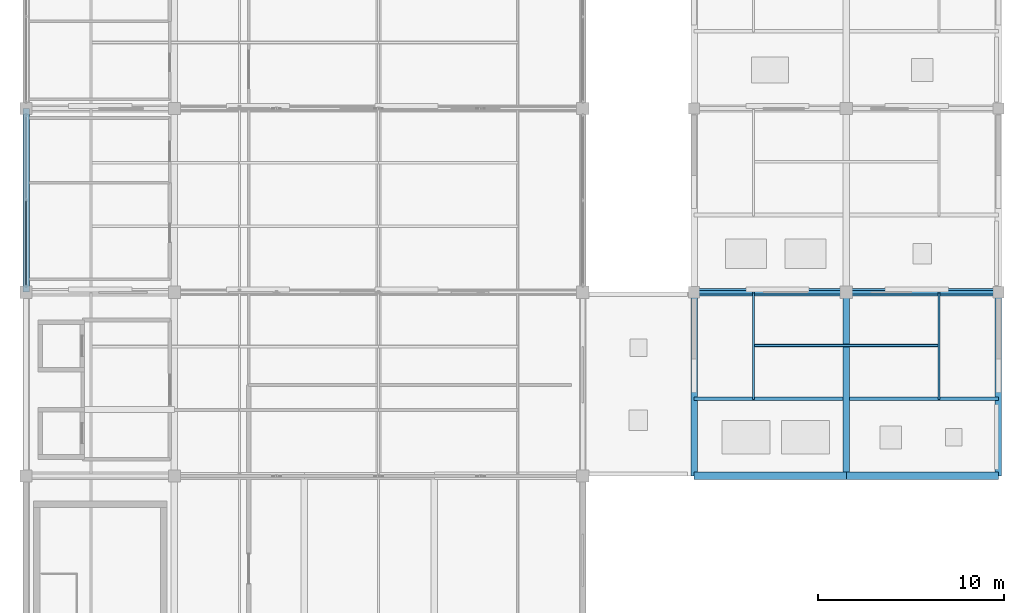
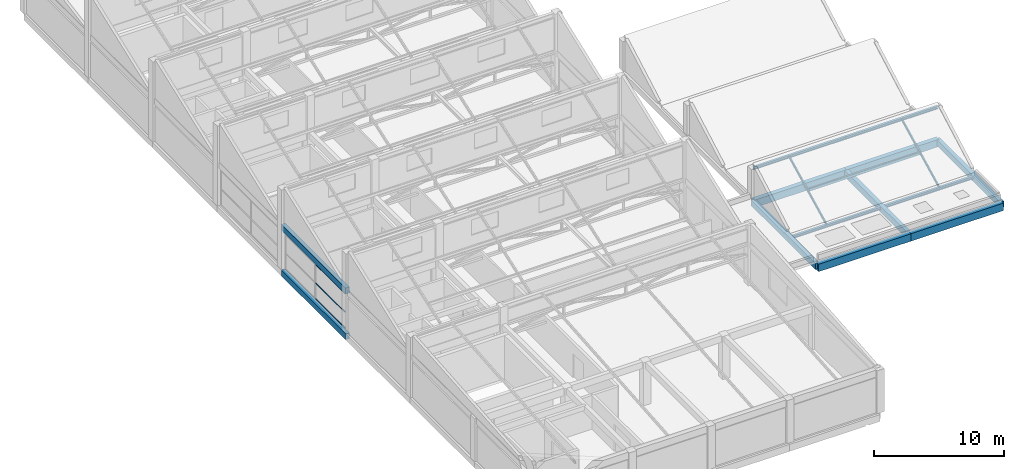
# One storey, part 6 of 35: 13 beams, 6 members, 1 element without a shape of its own.
"""IFC4 building model written with IfcOpenShell, lengths in metres."""

from ifc_helpers import new_model, si_unit, direction, frame, origin, origin_2d, place, context, subcontext, project, spatial, rectangle, hollow_rectangle, i_section, extrude, material, layer, layer_set, material_profile, profile_set, type_object, element, aggregate, save


model = new_model("IFC4")

# Units and contexts
model_context = context("Model", 3, precision=1e-05, world=origin(), true_north=direction((0.0, 1.0)))
body_context = subcontext(model_context, "Body", "Model", "MODEL_VIEW")
ifc_project = project(units=[si_unit("LENGTHUNIT", "METRE"), si_unit("AREAUNIT", "SQUARE_METRE"), si_unit("VOLUMEUNIT", "CUBIC_METRE"), si_unit("PLANEANGLEUNIT", "RADIAN"), si_unit("MASSUNIT", "GRAM", prefix="KILO")], contexts=[model_context])

# Site, building, storey
site_placement = place(None, origin())
site = spatial("IfcSite", under=ifc_project, at=site_placement, CompositionType="ELEMENT")
building_placement = place(site_placement, origin())
building = spatial("IfcBuilding", under=site, at=building_placement, Name="Sillaruma Civic Art Gallery", CompositionType="ELEMENT")
storey_placement = place(building_placement, frame((0.0, 0.0, 74.4599609375)))
storey = spatial("IfcBuildingStorey", under=building, at=storey_placement, Name="L15", CompositionType="ELEMENT", Elevation=74.4599609375)

# Beams
ifc_material_1 = material(Name="Concrete H35 (35 MPa)", Category="concrete")
ifc_material_profile_1 = material_profile(ifc_material_1, rectangle(XDim=0.35009765625, YDim=0.60009765625, at=origin_2d()), Name="RCB350x600")
ifc_profile_set_1 = profile_set([ifc_material_profile_1], Name="Concrete H35 (35 MPa)")
beam_type_1 = type_object("IfcBeamType", Name="BM-BEAM-RCB350x600", PredefinedType="BEAM", material=ifc_profile_set_1)
beam_1_placement = place(storey_placement, frame((106.199951171875, 39.60009765625, -0.550048828125), z_axis=(0.0, 1.0, 0.0), x_axis=(-1.0, 0.0, 0.0)))
element("IfcBeam", 1, at=beam_1_placement, inside=storey, type_object=beam_type_1, Name="Beam BM-06 (L14:M:5-6)", PredefinedType="BEAM", context=body_context, shape_type="SweptSolid", body=[
    extrude(rectangle(XDim=0.35009765625, YDim=0.60009765625, at=origin_2d()), origin(), (0.0, 0.0, 1.0), 9.89990234375),
])
ifc_material_profile_2 = material_profile(ifc_material_1, rectangle(XDim=0.39990234375, YDim=0.699951171875, at=origin_2d()), Name="RCB400x700")
ifc_profile_set_2 = profile_set([ifc_material_profile_2], Name="Concrete H35 (35 MPa)")
beam_type_2 = type_object("IfcBeamType", Name="BM-BEAM-RCB400x700", PredefinedType="BEAM", material=ifc_profile_set_2)
for number, where, z_axis, x_axis, name in (
    (2, (98.0, 39.60009765625, -0.599853515625), (1.0, 0.0, 0.0), (0.0, 1.0, 0.0), "Beam BM-04 (L14:5:L-M)"),
    (3, (106.199951171875, 39.60009765625, -0.599853515625), (1.0, 0.0, 0.0), (0.0, 1.0, 0.0), "Beam BM-04 (L14:5:M-N)"),
    (4, (98.0, 49.5, -0.599853515625), (1.0, 0.0, 0.0), (0.0, 1.0, 0.0), "Beam BM-04 (L14:6:L-M)"),
    (5, (106.199951171875, 49.5, -0.599853515625), (1.0, 0.0, 0.0), (0.0, 1.0, 0.0), "Beam BM-04 (L14:6:M-N)"),
):
    element("IfcBeam", number, at=place(storey_placement, frame(where, z_axis=z_axis, x_axis=x_axis)), inside=storey, type_object=beam_type_2, Name=name, PredefinedType="BEAM", context=body_context, shape_type="SweptSolid", body=[
        extrude(rectangle(XDim=0.39990234375, YDim=0.699951171875, at=origin_2d()), origin(), (0.0, 0.0, 1.0), 8.199951171875),
    ])
ifc_material_profile_3 = material_profile(ifc_material_1, rectangle(XDim=0.35009765625, YDim=0.550048828125, at=origin_2d()), Name="RCB350x550")
ifc_profile_set_3 = profile_set([ifc_material_profile_3], Name="Concrete H35 (35 MPa)")
beam_type_3 = type_object("IfcBeamType", Name="BM-ROF-RCB350x550", PredefinedType="SPANDREL", material=ifc_profile_set_3)
beam_2_placement = place(storey_placement, frame((62.0, 49.5, 3.76513671875), z_axis=(0.0, 1.0, 0.0), x_axis=(-1.0, 0.0, 0.0)))
element("IfcBeam", 6, at=beam_2_placement, inside=storey, type_object=beam_type_3, Name="Beam BSR-04 (L15:F:6-7)", PredefinedType="SPANDREL", context=body_context, shape_type="SweptSolid", body=[
    extrude(rectangle(XDim=0.35009765625, YDim=0.550048828125, at=origin_2d()), origin(), (0.0, 0.0, 1.0), 9.89990234375),
])
ifc_material_2 = material(Name="Structural Steel ASTM A992 Gr.50", Category="steel")
ifc_material_profile_4 = material_profile(ifc_material_2, i_section(OverallWidth=0.2041015625, OverallDepth=0.257080078125, WebThickness=0.0087890625, FlangeThickness=0.015625, FilletRadius=0.012939453125, at=origin_2d()), Name="W250x67")
ifc_profile_set_4 = profile_set([ifc_material_profile_4], Name="Structural Steel ASTM A992 Gr.50")
beam_type_4 = type_object("IfcBeamType", Name="BM-SAW-W250x67", PredefinedType="BEAM", material=ifc_profile_set_4)
beam_3_placement = place(storey_placement, frame((98.0, 43.760009765625, -0.3798828125), z_axis=(1.0, 0.0, 0.0), x_axis=(0.0, 1.0, 0.0)))
element("IfcBeam", 7, at=beam_3_placement, inside=storey, type_object=beam_type_4, Name="East Crown Sawtooth Valley Girder (1-LM)", PredefinedType="BEAM", context=body_context, shape_type="SweptSolid", body=[
    extrude(i_section(OverallWidth=0.2041015625, OverallDepth=0.257080078125, WebThickness=0.0087890625, FlangeThickness=0.015625, FilletRadius=0.012939453125, at=origin_2d()), origin(), (0.0, 0.0, 1.0), 8.02490234375),
])
beam_4_placement = place(storey_placement, frame((98.0, 49.5, 2.66015625), z_axis=(1.0, 0.0, 0.0), x_axis=(0.0, 1.0, 0.0)))
element("IfcBeam", 8, at=beam_4_placement, inside=storey, type_object=beam_type_4, Name="East Crown Sawtooth Ridge Girder (1-LM)", PredefinedType="BEAM", context=body_context, shape_type="SweptSolid", body=[
    extrude(i_section(OverallWidth=0.2041015625, OverallDepth=0.257080078125, WebThickness=0.0087890625, FlangeThickness=0.015625, FilletRadius=0.012939453125, at=origin_2d()), origin(), (0.0, 0.0, 1.0), 8.199951171875),
])
beam_5_placement = place(storey_placement, frame((106.375, 43.760009765625, -0.3798828125), z_axis=(1.0, 0.0, 0.0), x_axis=(0.0, 1.0, 0.0)))
element("IfcBeam", 9, at=beam_5_placement, inside=storey, type_object=beam_type_4, Name="East Crown Sawtooth Valley Girder (1-MN)", PredefinedType="BEAM", context=body_context, shape_type="SweptSolid", body=[
    extrude(i_section(OverallWidth=0.2041015625, OverallDepth=0.257080078125, WebThickness=0.0087890625, FlangeThickness=0.015625, FilletRadius=0.012939453125, at=origin_2d()), origin(), (0.0, 0.0, 1.0), 8.02490234375),
])
beam_6_placement = place(storey_placement, frame((106.199951171875, 49.5, 2.66015625), z_axis=(1.0, 0.0, 0.0), x_axis=(0.0, 1.0, 0.0)))
element("IfcBeam", 10, at=beam_6_placement, inside=storey, type_object=beam_type_4, Name="East Crown Sawtooth Ridge Girder (1-MN)", PredefinedType="BEAM", context=body_context, shape_type="SweptSolid", body=[
    extrude(i_section(OverallWidth=0.2041015625, OverallDepth=0.257080078125, WebThickness=0.0087890625, FlangeThickness=0.015625, FilletRadius=0.012939453125, at=origin_2d()), origin(), (0.0, 0.0, 1.0), 8.199951171875),
])
ifc_material_profile_5 = material_profile(ifc_material_1, rectangle(XDim=0.35009765625, YDim=0.550048828125, at=origin_2d()), Name="RCB350x550")
ifc_profile_set_5 = profile_set([ifc_material_profile_5], Name="Concrete H35 (35 MPa)")
beam_type_5 = type_object("IfcBeamType", Name="BM-SPANDREL-RCB350x550", PredefinedType="SPANDREL", material=ifc_profile_set_5)
for number, where, z_axis, x_axis, name in (
    (11, (62.0, 49.5, -0.52490234375), (0.0, 1.0, 0.0), (-1.0, 0.0, 0.0), "Beam BS-04 (L14:F:6-7)"),
    (12, (98.0, 39.60009765625, -0.52490234375), (0.0, 1.0, 0.0), (-1.0, 0.0, 0.0), "Beam BS-04 (L14:L:5-6)"),
    (13, (114.39990234375, 39.60009765625, -0.52490234375), (0.0, 1.0, 0.0), (-1.0, 0.0, 0.0), "Beam BS-04 (L14:N:5-6)"),
):
    element("IfcBeam", number, at=place(storey_placement, frame(where, z_axis=z_axis, x_axis=x_axis)), inside=storey, type_object=beam_type_5, Name=name, PredefinedType="SPANDREL", context=body_context, shape_type="SweptSolid", body=[
        extrude(rectangle(XDim=0.35009765625, YDim=0.550048828125, at=origin_2d()), origin(), (0.0, 0.0, 1.0), 9.89990234375),
    ])

# Members
ifc_material_3 = material(Name="Structural Steel ASTM A500 Gr.C", Category="steel")
ifc_material_profile_6 = material_profile(ifc_material_3, hollow_rectangle(XDim=0.14990234375, YDim=0.25, WallThickness=0.010009765625, InnerFilletRadius=0.010009765625, OuterFilletRadius=0.02001953125, at=origin_2d()), Name="HSS250x150x10")
ifc_profile_set_6 = profile_set([ifc_material_profile_6], Name="Structural Steel ASTM A500 Gr.C")
member_type_1 = type_object("IfcMemberType", Name="MEM-PUR-HSS250", PredefinedType="PURLIN", material=ifc_profile_set_6)
member_1_placement = place(storey_placement, frame((101.199951171875, 46.6298828125, 1.2099609375), z_axis=(1.0, 0.0, 0.0), x_axis=(0.0, 1.0, 0.0)))
element("IfcMember", 14, at=member_1_placement, inside=storey, type_object=member_type_1, Name="East Crown Roof Steel Purlin (1.1)", PredefinedType="PURLIN", context=body_context, shape_type="SweptSolid", body=[
    extrude(hollow_rectangle(XDim=0.14990234375, YDim=0.25, WallThickness=0.010009765625, InnerFilletRadius=0.010009765625, OuterFilletRadius=0.02001953125, at=origin_2d()), origin(), (0.0, 0.0, 1.0), 10.0),
])
ifc_material_profile_7 = material_profile(ifc_material_3, hollow_rectangle(XDim=0.1201171875, YDim=0.199951171875, WallThickness=0.008056640625, InnerFilletRadius=0.008056640625, OuterFilletRadius=0.01611328125, at=origin_2d()), Name="HSS200x120x8")
ifc_profile_set_7 = profile_set([ifc_material_profile_7], Name="Structural Steel ASTM A500 Gr.C")
member_type_2 = type_object("IfcMemberType", Name="MEM-RAF-HSS200", PredefinedType="PURLIN", material=ifc_profile_set_7)
for number, where, z_axis, x_axis, name in (
    (15, (101.199951171875, 43.760009765625, -0.239990234375), (0.0, 0.892543963218, 0.450960390416), (-1.0, 0.0, 0.0), "East Crown Sloped Steel Rafter (1-W)"),
    (16, (111.199951171875, 43.760009765625, -0.239990234375), (0.0, 0.892543963218, 0.450960390416), (-1.0, 0.0, 0.0), "East Crown Sloped Steel Rafter (1-E)"),
):
    element("IfcMember", number, at=place(storey_placement, frame(where, z_axis=z_axis, x_axis=x_axis)), inside=storey, type_object=member_type_2, Name=name, PredefinedType="PURLIN", context=body_context, shape_type="SweptSolid", body=[
        extrude(hollow_rectangle(XDim=0.1201171875, YDim=0.199951171875, WallThickness=0.008056640625, InnerFilletRadius=0.008056640625, OuterFilletRadius=0.01611328125, at=origin_2d()), origin(), (0.0, 0.0, 1.0), 6.43115234375),
    ])

# Curtain wall, members
ifc_material_4 = material(Name="Thermally Broken Extruded Aluminium 6063-T6", Category="aluminium")
ifc_layer = layer(ifc_material_4, 0.159912109375, Name="Thermally Broken Extruded Aluminium 6063-T6")
ifc_layer_set = layer_set([ifc_layer], Name="Thermally Broken Extruded Aluminium 6063-T6")
curtain_wall_type = type_object("IfcCurtainWallType", Name="CW-UNI-111", PredefinedType="NOTDEFINED", material=ifc_layer_set)
curtain_wall_placement = place(storey_placement, origin())
curtain_wall = element("IfcCurtainWall", 17, at=curtain_wall_placement, inside=storey, type_object=curtain_wall_type, Name="Unitised Curtain Wall CW-111 (CW-L15-WBW-4)", PredefinedType="NOTDEFINED")
ifc_material_profile_8 = material_profile(ifc_material_4, hollow_rectangle(XDim=0.06005859375, YDim=0.10009765625, WallThickness=0.003173828125, at=origin_2d()), Name="CWT60x100")
ifc_profile_set_8 = profile_set([ifc_material_profile_8], Name="Thermally Broken Extruded Aluminium 6063-T6")
member_type_3 = type_object("IfcMemberType", Name="MEM-TRN-CWT60x100", PredefinedType="USERDEFINED", material=ifc_profile_set_8)
member_2_placement = place(storey_placement, frame((62.0, 49.889892578125, 0.030029296875), z_axis=(0.0, 1.0, 0.0), x_axis=(-1.0, 0.0, 0.0)))
member_2 = element("IfcMember", 18, at=member_2_placement, type_object=member_type_3, Name="CW-111 transom 1.1", ObjectType="TRANSOM", PredefinedType="USERDEFINED", context=body_context, shape_type="SweptSolid", body=[
    extrude(hollow_rectangle(XDim=0.06005859375, YDim=0.10009765625, WallThickness=0.003173828125, at=origin_2d()), origin(), (0.0, 0.0, 1.0), 4.527587890625),
])
member_3_placement = place(storey_placement, frame((62.0, 49.889892578125, 1.513427734375), z_axis=(0.0, 1.0, 0.0), x_axis=(-1.0, 0.0, 0.0)))
member_3 = element("IfcMember", 19, at=member_3_placement, type_object=member_type_3, Name="CW-111 transom 1.2", ObjectType="TRANSOM", PredefinedType="USERDEFINED", context=body_context, shape_type="SweptSolid", body=[
    extrude(hollow_rectangle(XDim=0.06005859375, YDim=0.10009765625, WallThickness=0.003173828125, at=origin_2d()), origin(), (0.0, 0.0, 1.0), 4.527587890625),
])
member_4_placement = place(storey_placement, frame((62.0, 49.889892578125, 3.260009765625), z_axis=(0.0, 1.0, 0.0), x_axis=(-1.0, 0.0, 0.0)))
member_4 = element("IfcMember", 20, at=member_4_placement, type_object=member_type_3, Name="CW-111 transom 1.3", ObjectType="TRANSOM", PredefinedType="USERDEFINED", context=body_context, shape_type="SweptSolid", body=[
    extrude(hollow_rectangle(XDim=0.06005859375, YDim=0.10009765625, WallThickness=0.003173828125, at=origin_2d()), origin(), (0.0, 0.0, 1.0), 4.527587890625),
])
aggregate(curtain_wall, [member_2, member_3, member_4])

save(model, "model.ifc")
